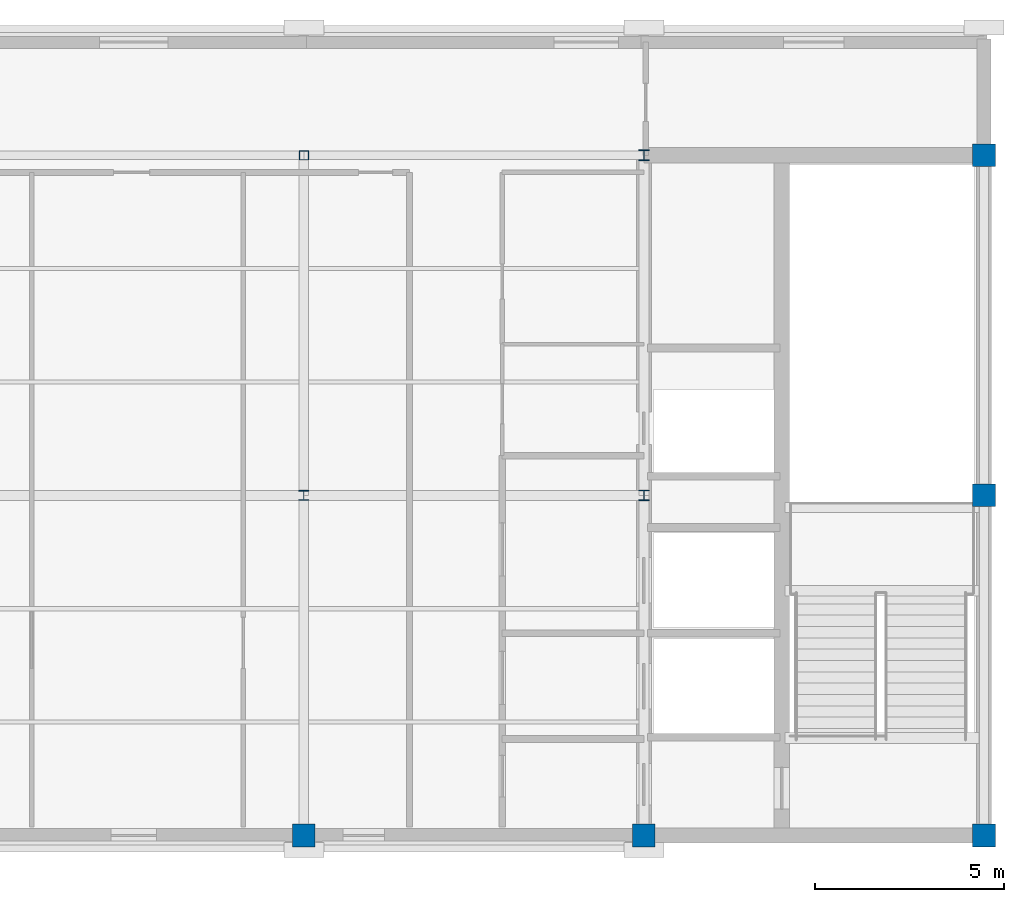
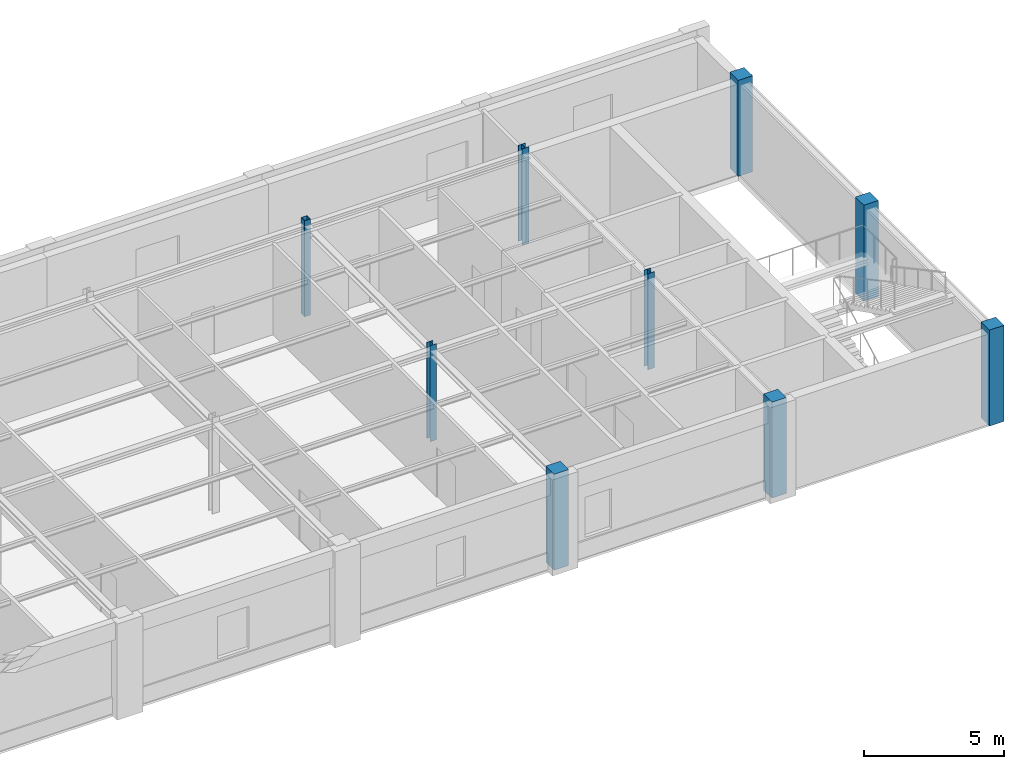
# One storey, part 2 of 7: 9 columns.
"""IFC4 building model written with IfcOpenShell, lengths in metres."""

from ifc_helpers import new_model, si_unit, direction, frame, origin, origin_2d, place, context, subcontext, project, spatial, rectangle, hollow_rectangle, i_section, extrude, material, material_profile, profile_set, type_object, element, save


model = new_model("IFC4")

# Units and contexts
model_context = context("Model", 3, precision=1e-05, world=origin(), true_north=direction((0.0, 1.0)))
body_context = subcontext(model_context, "Body", "Model", "MODEL_VIEW")
ifc_project = project(units=[si_unit("LENGTHUNIT", "METRE"), si_unit("AREAUNIT", "SQUARE_METRE"), si_unit("VOLUMEUNIT", "CUBIC_METRE"), si_unit("PLANEANGLEUNIT", "RADIAN"), si_unit("MASSUNIT", "GRAM", prefix="KILO")], contexts=[model_context])

# Site, building, storey
site_placement = place(None, origin())
site = spatial("IfcSite", under=ifc_project, at=site_placement, CompositionType="ELEMENT")
building_placement = place(site_placement, origin())
building = spatial("IfcBuilding", under=site, at=building_placement, Name="Lykobir Media Centre", CompositionType="ELEMENT")
storey_placement = place(building_placement, frame((0.0, 0.0, 31.800048828125)))
storey = spatial("IfcBuildingStorey", under=building, at=storey_placement, Name="L07", CompositionType="ELEMENT", Elevation=31.800048828125)

# Columns
ifc_material_1 = material(Name="Concrete C40/50", Category="concrete")
ifc_material_profile_1 = material_profile(ifc_material_1, rectangle(XDim=0.60009765625, YDim=0.60009765625, at=origin_2d()), Name="RC 600x600")
ifc_profile_set_1 = profile_set([ifc_material_profile_1], Name="Concrete C40/50")
column_type_1 = type_object("IfcColumnType", Name="RC-C600-E", PredefinedType="COLUMN", material=ifc_profile_set_1)
for number, where, z_axis, x_axis, name in (
    (1, (63.0, 0.0, 0.0), (0.0, 0.0, 1.0), (1.0, 0.0, 0.0), "Column COL-L07-0630-0000"),
    (2, (72.0, 0.0, 0.0), (0.0, 0.0, 1.0), (1.0, 0.0, 0.0), "Column COL-L07-0720-0000"),
    (3, (81.0, 0.0, 0.0), (0.0, 0.0, 1.0), (1.0, 0.0, 0.0), "Column COL-L07-0810-0000"),
    (4, (81.0, 9.0, 0.0), (0.0, 0.0, 1.0), (1.0, 0.0, 0.0), "Column COL-L07-0810-0090"),
    (5, (81.0, 18.0, 0.0), (0.0, 0.0, 1.0), (1.0, 0.0, 0.0), "Column COL-L07-0810-0180"),
):
    element("IfcColumn", number, at=place(storey_placement, frame(where, z_axis=z_axis, x_axis=x_axis)), inside=storey, type_object=column_type_1, Name=name, PredefinedType="COLUMN", context=body_context, shape_type="SweptSolid", body=[
        extrude(rectangle(XDim=0.60009765625, YDim=0.60009765625, at=origin_2d()), origin(), (0.0, 0.0, 1.0), 4.199951171875),
    ])
ifc_material_2 = material(Name="Steel S355", Category="steel")
ifc_material_profile_2 = material_profile(ifc_material_2, i_section(OverallWidth=0.260009765625, OverallDepth=0.260009765625, WebThickness=0.010009765625, FlangeThickness=0.017578125, at=origin_2d()), Name="HEB 260")
ifc_profile_set_2 = profile_set([ifc_material_profile_2], Name="Steel S355")
column_type_2 = type_object("IfcColumnType", Name="SC-HEB260", PredefinedType="COLUMN", material=ifc_profile_set_2)
column_1_placement = place(storey_placement, frame((63.0, 9.0, 0.0), z_axis=(0.0, 0.0, 1.0), x_axis=(1.0, 0.0, 0.0)))
element("IfcColumn", 6, at=column_1_placement, inside=storey, type_object=column_type_2, Name="Column COL-L07-0630-0090", PredefinedType="COLUMN", context=body_context, shape_type="SweptSolid", body=[
    extrude(i_section(OverallWidth=0.260009765625, OverallDepth=0.260009765625, WebThickness=0.010009765625, FlangeThickness=0.017578125, at=origin_2d()), origin(), (0.0, 0.0, 1.0), 4.199951171875),
])
ifc_material_profile_3 = material_profile(ifc_material_2, i_section(OverallWidth=0.280029296875, OverallDepth=0.280029296875, WebThickness=0.010498046875, FlangeThickness=0.01806640625, at=origin_2d()), Name="HEB 280")
ifc_profile_set_3 = profile_set([ifc_material_profile_3], Name="Steel S355")
column_type_3 = type_object("IfcColumnType", Name="SC-HEB280", PredefinedType="COLUMN", material=ifc_profile_set_3)
for number, where, z_axis, x_axis, name in (
    (7, (72.0, 9.0, 0.0), (0.0, 0.0, 1.0), (1.0, 0.0, 0.0), "Column COL-L07-0720-0090"),
    (8, (72.0, 18.0, 0.0), (0.0, 0.0, 1.0), (1.0, 0.0, 0.0), "Column COL-L07-0720-0180"),
):
    element("IfcColumn", number, at=place(storey_placement, frame(where, z_axis=z_axis, x_axis=x_axis)), inside=storey, type_object=column_type_3, Name=name, PredefinedType="COLUMN", context=body_context, shape_type="SweptSolid", body=[
        extrude(i_section(OverallWidth=0.280029296875, OverallDepth=0.280029296875, WebThickness=0.010498046875, FlangeThickness=0.01806640625, at=origin_2d()), origin(), (0.0, 0.0, 1.0), 4.199951171875),
    ])
ifc_material_profile_4 = material_profile(ifc_material_2, hollow_rectangle(XDim=0.25, YDim=0.25, WallThickness=0.012451171875, at=origin_2d()), Name="SHS 250x250x12.5")
ifc_profile_set_4 = profile_set([ifc_material_profile_4], Name="Steel S355")
column_type_4 = type_object("IfcColumnType", Name="SC-SHS250", PredefinedType="COLUMN", material=ifc_profile_set_4)
column_2_placement = place(storey_placement, frame((63.0, 18.0, 0.0), z_axis=(0.0, 0.0, 1.0), x_axis=(1.0, 0.0, 0.0)))
element("IfcColumn", 9, at=column_2_placement, inside=storey, type_object=column_type_4, Name="Column COL-L07-0630-0180", PredefinedType="COLUMN", context=body_context, shape_type="SweptSolid", body=[
    extrude(hollow_rectangle(XDim=0.25, YDim=0.25, WallThickness=0.012451171875, at=origin_2d()), origin(), (0.0, 0.0, 1.0), 4.199951171875),
])

save(model, "model.ifc")
